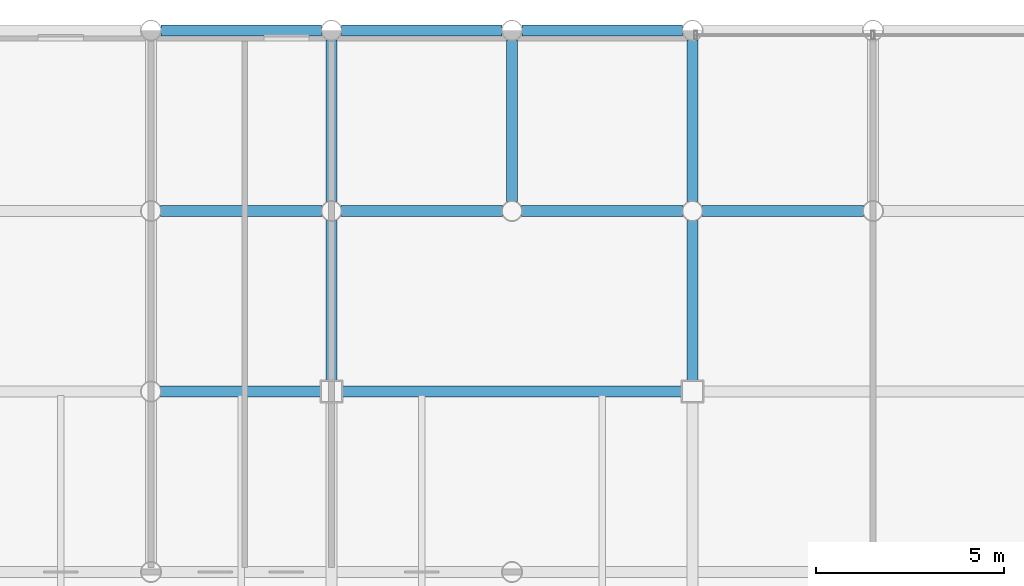
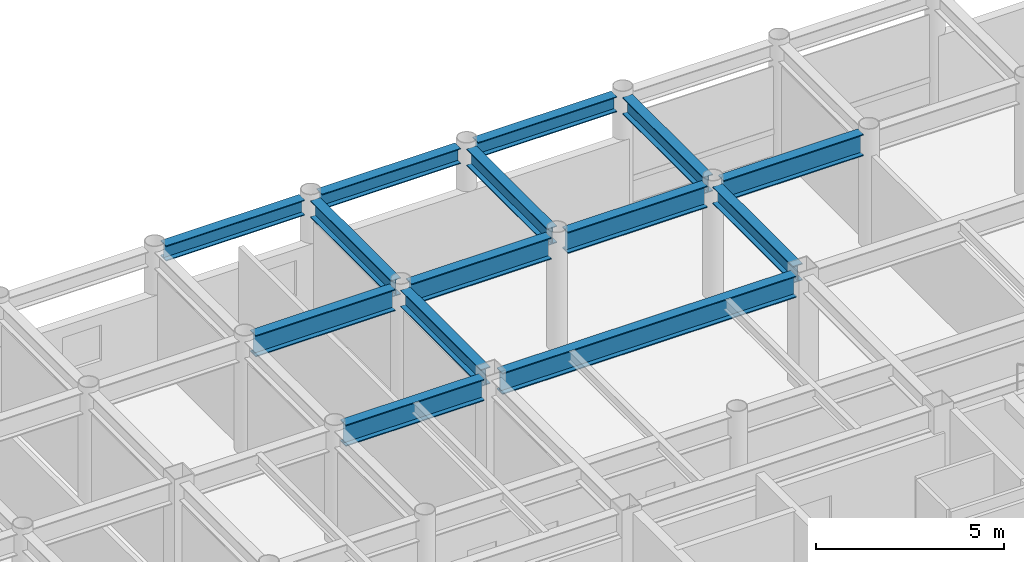
# One storey, part 13 of 22: 14 beams.
"""IFC4 building model written with IfcOpenShell, lengths in metres."""

from ifc_helpers import new_model, si_unit, direction, frame, origin, origin_2d, place, context, subcontext, project, spatial, i_section, extrude, material, material_profile, profile_set, type_object, element, save


model = new_model("IFC4")

# Units and contexts
model_context = context("Model", 3, precision=1e-05, world=origin(), true_north=direction((0.0, 1.0)))
body_context = subcontext(model_context, "Body", "Model", "MODEL_VIEW")
ifc_project = project(units=[si_unit("LENGTHUNIT", "METRE"), si_unit("AREAUNIT", "SQUARE_METRE"), si_unit("VOLUMEUNIT", "CUBIC_METRE"), si_unit("PLANEANGLEUNIT", "RADIAN"), si_unit("MASSUNIT", "GRAM", prefix="KILO")], contexts=[model_context])

# Site, building, storey
site_placement = place(None, origin())
site = spatial("IfcSite", under=ifc_project, at=site_placement, CompositionType="ELEMENT")
building_placement = place(site_placement, origin())
building = spatial("IfcBuilding", under=site, at=building_placement, Name="Kallvorn Hotel Tower", CompositionType="ELEMENT")
storey_placement = place(building_placement, frame((0.0, 0.0, 260.800048828125)))
storey = spatial("IfcBuildingStorey", under=building, at=storey_placement, Name="L65", CompositionType="ELEMENT", Elevation=260.800048828125)

# Beams
ifc_material_1 = material(Name="Structural steel S355JR", Category="steel")
ifc_material_profile_1 = material_profile(ifc_material_1, i_section(OverallWidth=0.300048828125, OverallDepth=0.5, WebThickness=0.014404296875, FlangeThickness=0.028076171875, at=origin_2d()), Name="HE 500 B")
ifc_profile_set_1 = profile_set([ifc_material_profile_1], Name="Structural steel S355JR")
beam_type_1 = type_object("IfcBeamType", Name="BM_HE500B", PredefinedType="SPANDREL", material=ifc_profile_set_1)
beam_1_placement = place(storey_placement, frame((-18.930419921875, 24.0, 3.419921875), z_axis=(1.0, 0.0, 0.0), x_axis=(0.0, 1.0, 0.0)))
element("IfcBeam", 1, at=beam_1_placement, inside=storey, type_object=beam_type_1, Name="L66 Perimeter Spandrel 165", PredefinedType="SPANDREL", context=body_context, shape_type="SweptSolid", body=[
    extrude(i_section(OverallWidth=0.300048828125, OverallDepth=0.5, WebThickness=0.014404296875, FlangeThickness=0.028076171875, at=origin_2d()), origin(), (0.0, 0.0, 1.0), 4.260986328125),
])
beam_2_placement = place(storey_placement, frame((-14.130615234375, 24.0, 3.419921875), z_axis=(1.0, 0.0, 0.0), x_axis=(0.0, 1.0, 0.0)))
element("IfcBeam", 2, at=beam_2_placement, inside=storey, type_object=beam_type_1, Name="L66 Perimeter Spandrel 166", PredefinedType="SPANDREL", context=body_context, shape_type="SweptSolid", body=[
    extrude(i_section(OverallWidth=0.300048828125, OverallDepth=0.5, WebThickness=0.014404296875, FlangeThickness=0.028076171875, at=origin_2d()), origin(), (0.0, 0.0, 1.0), 4.26123046875),
])
beam_3_placement = place(storey_placement, frame((-9.33056640625, 24.0, 3.419921875), z_axis=(1.0, 0.0, 0.0), x_axis=(0.0, 1.0, 0.0)))
element("IfcBeam", 3, at=beam_3_placement, inside=storey, type_object=beam_type_1, Name="L66 Perimeter Spandrel 167", PredefinedType="SPANDREL", context=body_context, shape_type="SweptSolid", body=[
    extrude(i_section(OverallWidth=0.300048828125, OverallDepth=0.5, WebThickness=0.014404296875, FlangeThickness=0.028076171875, at=origin_2d()), origin(), (0.0, 0.0, 1.0), 4.260986328125),
])
ifc_material_2 = material(Name="Structural steel S355JR", Category="steel")
ifc_material_profile_2 = material_profile(ifc_material_2, i_section(OverallWidth=0.300048828125, OverallDepth=0.550048828125, WebThickness=0.014892578125, FlangeThickness=0.029052734375, at=origin_2d()), Name="HE 550 B")
ifc_profile_set_2 = profile_set([ifc_material_profile_2], Name="Structural steel S355JR")
beam_type_2 = type_object("IfcBeamType", Name="BM_HE550B", PredefinedType="SPANDREL", material=ifc_profile_set_2)
beam_4_placement = place(storey_placement, frame((-14.39990234375, 14.675048828125, 3.39501953125), z_axis=(0.0, 1.0, 0.0), x_axis=(-1.0, 0.0, 0.0)))
element("IfcBeam", 4, at=beam_4_placement, inside=storey, type_object=beam_type_2, Name="L66 Primary Y-Girder 101", PredefinedType="SPANDREL", context=body_context, shape_type="SweptSolid", body=[
    extrude(i_section(OverallWidth=0.300048828125, OverallDepth=0.550048828125, WebThickness=0.014892578125, FlangeThickness=0.029052734375, at=origin_2d()), origin(), (0.0, 0.0, 1.0), 4.2705078125),
])
for number, where, z_axis, x_axis, name in (
    (5, (-14.39990234375, 19.45458984375, 3.39501953125), (0.0, 1.0, 0.0), (-1.0, 0.0, 0.0), "L66 Primary Y-Girder 102"),
    (6, (-9.60009765625, 19.45458984375, 3.39501953125), (0.0, 1.0, 0.0), (-1.0, 0.0, 0.0), "L66 Primary Y-Girder 105"),
):
    element("IfcBeam", number, at=place(storey_placement, frame(where, z_axis=z_axis, x_axis=x_axis)), inside=storey, type_object=beam_type_2, Name=name, PredefinedType="SPANDREL", context=body_context, shape_type="SweptSolid", body=[
        extrude(i_section(OverallWidth=0.300048828125, OverallDepth=0.550048828125, WebThickness=0.014892578125, FlangeThickness=0.029052734375, at=origin_2d()), origin(), (0.0, 0.0, 1.0), 4.291015625),
    ])
beam_5_placement = place(storey_placement, frame((-4.800048828125, 14.675048828125, 3.39501953125), z_axis=(0.0, 1.0, 0.0), x_axis=(-1.0, 0.0, 0.0)))
element("IfcBeam", 7, at=beam_5_placement, inside=storey, type_object=beam_type_2, Name="L66 Primary Y-Girder 109", PredefinedType="SPANDREL", context=body_context, shape_type="SweptSolid", body=[
    extrude(i_section(OverallWidth=0.300048828125, OverallDepth=0.550048828125, WebThickness=0.014892578125, FlangeThickness=0.029052734375, at=origin_2d()), origin(), (0.0, 0.0, 1.0), 4.2705078125),
])
beam_6_placement = place(storey_placement, frame((-4.800048828125, 19.45458984375, 3.39501953125), z_axis=(0.0, 1.0, 0.0), x_axis=(-1.0, 0.0, 0.0)))
element("IfcBeam", 8, at=beam_6_placement, inside=storey, type_object=beam_type_2, Name="L66 Primary Y-Girder 110", PredefinedType="SPANDREL", context=body_context, shape_type="SweptSolid", body=[
    extrude(i_section(OverallWidth=0.300048828125, OverallDepth=0.550048828125, WebThickness=0.014892578125, FlangeThickness=0.029052734375, at=origin_2d()), origin(), (0.0, 0.0, 1.0), 4.291015625),
])
ifc_material_3 = material(Name="Structural steel S355JR", Category="steel")
ifc_material_profile_3 = material_profile(ifc_material_3, i_section(OverallWidth=0.300048828125, OverallDepth=0.699951171875, WebThickness=0.01708984375, FlangeThickness=0.031982421875, at=origin_2d()), Name="HE 700 B")
ifc_profile_set_3 = profile_set([ifc_material_profile_3], Name="Structural steel S355JR")
beam_type_3 = type_object("IfcBeamType", Name="BM_HE700B", PredefinedType="BEAM", material=ifc_profile_set_3)
beam_7_placement = place(storey_placement, frame((-18.945556640625, 14.39990234375, 3.320068359375), z_axis=(1.0, 0.0, 0.0), x_axis=(0.0, 1.0, 0.0)))
element("IfcBeam", 9, at=beam_7_placement, inside=storey, type_object=beam_type_3, Name="L66 Primary X-Girder 53", PredefinedType="BEAM", context=body_context, shape_type="SweptSolid", body=[
    extrude(i_section(OverallWidth=0.300048828125, OverallDepth=0.699951171875, WebThickness=0.01708984375, FlangeThickness=0.031982421875, at=origin_2d()), origin(), (0.0, 0.0, 1.0), 4.2705078125),
])
beam_8_placement = place(storey_placement, frame((-14.125, 14.39990234375, 3.320068359375), z_axis=(1.0, 0.0, 0.0), x_axis=(0.0, 1.0, 0.0)))
element("IfcBeam", 10, at=beam_8_placement, inside=storey, type_object=beam_type_3, Name="L66 Primary X-Girder 54", PredefinedType="BEAM", context=body_context, shape_type="SweptSolid", body=[
    extrude(i_section(OverallWidth=0.300048828125, OverallDepth=0.699951171875, WebThickness=0.01708984375, FlangeThickness=0.031982421875, at=origin_2d()), origin(), (0.0, 0.0, 1.0), 9.050048828125),
])
for number, where, z_axis, x_axis, name in (
    (11, (-18.945556640625, 19.199951171875, 3.320068359375), (1.0, 0.0, 0.0), (0.0, 1.0, 0.0), "L66 Primary X-Girder 63"),
    (12, (-14.1455078125, 19.199951171875, 3.320068359375), (1.0, 0.0, 0.0), (0.0, 1.0, 0.0), "L66 Primary X-Girder 64"),
    (13, (-9.345458984375, 19.199951171875, 3.320068359375), (1.0, 0.0, 0.0), (0.0, 1.0, 0.0), "L66 Primary X-Girder 65"),
    (14, (-4.54541015625, 19.199951171875, 3.320068359375), (1.0, 0.0, 0.0), (0.0, 1.0, 0.0), "L66 Primary X-Girder 66"),
):
    element("IfcBeam", number, at=place(storey_placement, frame(where, z_axis=z_axis, x_axis=x_axis)), inside=storey, type_object=beam_type_3, Name=name, PredefinedType="BEAM", context=body_context, shape_type="SweptSolid", body=[
        extrude(i_section(OverallWidth=0.300048828125, OverallDepth=0.699951171875, WebThickness=0.01708984375, FlangeThickness=0.031982421875, at=origin_2d()), origin(), (0.0, 0.0, 1.0), 4.291015625),
    ])

save(model, "model.ifc")
